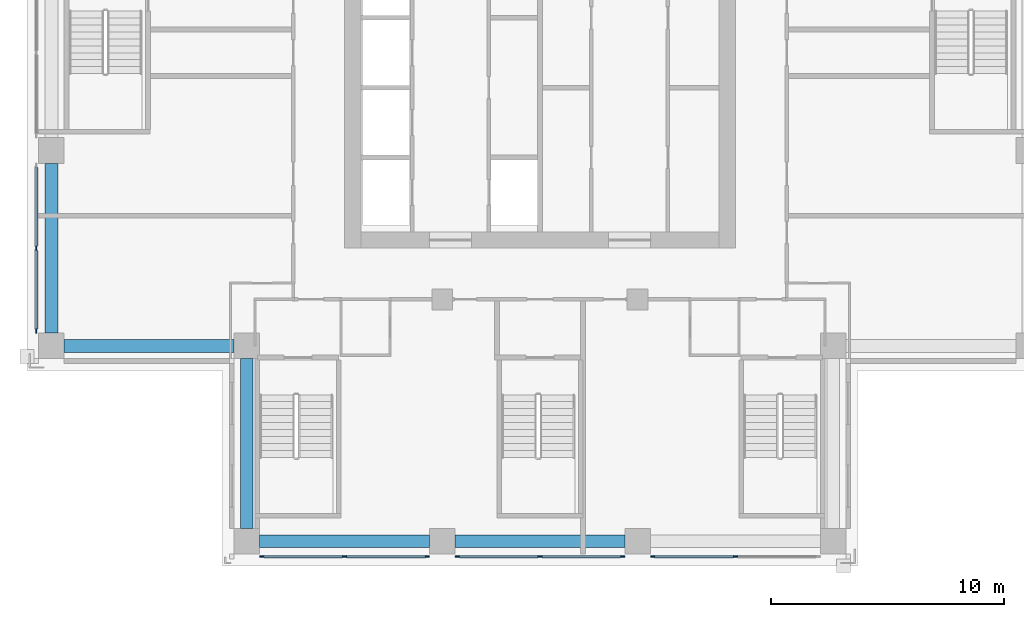
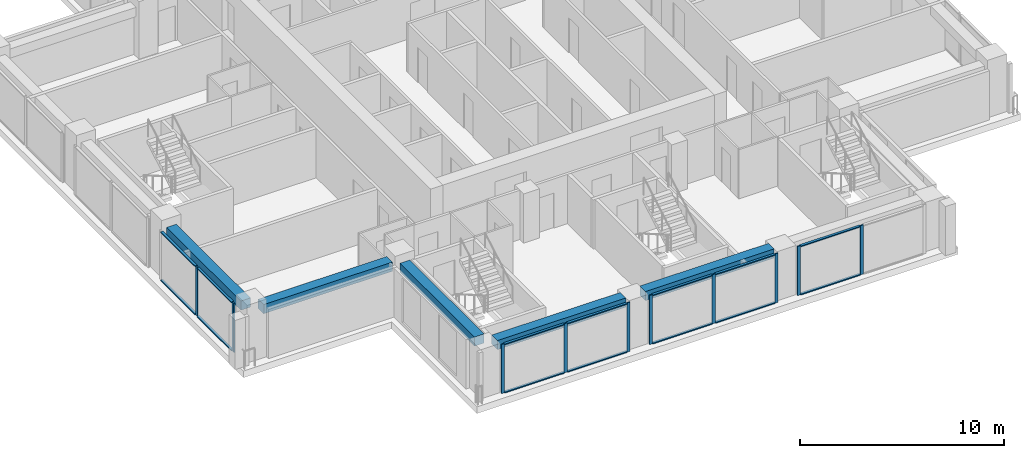
# One storey, part 2 of 16: 24 members, 5 beams, 4 elements without a shape of their own.
"""IFC4 building model written with IfcOpenShell, lengths in metres."""

from ifc_helpers import new_model, si_unit, direction, frame, origin, origin_2d, place, context, subcontext, project, spatial, rectangle, extrude, material, material_profile, profile_set, type_object, element, aggregate, save


model = new_model("IFC4")

# Units and contexts
model_context = context("Model", 3, precision=1e-05, world=origin(), true_north=direction((0.0, 1.0)))
body_context = subcontext(model_context, "Body", "Model", "MODEL_VIEW")
ifc_project = project(units=[si_unit("LENGTHUNIT", "METRE"), si_unit("AREAUNIT", "SQUARE_METRE"), si_unit("VOLUMEUNIT", "CUBIC_METRE"), si_unit("PLANEANGLEUNIT", "RADIAN"), si_unit("MASSUNIT", "GRAM", prefix="KILO")], contexts=[model_context])

# Site, building, storey
site_placement = place(None, origin())
site = spatial("IfcSite", under=ifc_project, at=site_placement, CompositionType="ELEMENT")
building_placement = place(site_placement, origin())
building = spatial("IfcBuilding", under=site, at=building_placement, Name="Vermilion Ogive Tower", CompositionType="ELEMENT")
storey_placement = place(building_placement, frame((0.0, 0.0, 167.60009765625)))
storey = spatial("IfcBuildingStorey", under=building, at=storey_placement, Name="L43", CompositionType="ELEMENT", Elevation=167.60009765625)

# Curtain wall, members
ifc_material_1 = material(Name="Low-iron laminated glazing in aluminium frame", Category="aluminium")
curtain_wall_type = type_object("IfcCurtainWallType", Name="Curtain wall CW7", PredefinedType="NOTDEFINED", material=ifc_material_1)
curtain_wall_1_placement = place(storey_placement, origin())
curtain_wall_1 = element("IfcCurtainWall", 1, at=curtain_wall_1_placement, inside=storey, type_object=curtain_wall_type, Name="Glazed skin S1", PredefinedType="NOTDEFINED")
ifc_material_2 = material(Name="Aluminium mullion", Category="aluminium")
ifc_material_profile_1 = material_profile(ifc_material_2, rectangle(XDim=0.06005859375, YDim=0.179931640625, at=origin_2d()), Name="AL 60x180")
ifc_profile_set_1 = profile_set([ifc_material_profile_1], Name="Aluminium mullion")
member_type_1 = type_object("IfcMemberType", Name="CW7 mullion 60x180", PredefinedType="MULLION", material=ifc_profile_set_1)
member_1_placement = place(storey_placement, frame((-11.9599609375, -21.64990234375, 0.0), z_axis=(0.0, 0.0, 1.0), x_axis=(0.0, 1.0, 0.0)))
member_1 = element("IfcMember", 2, at=member_1_placement, type_object=member_type_1, Name="CW7-S1 mullion 1", PredefinedType="MULLION", context=body_context, shape_type="SweptSolid", body=[
    extrude(rectangle(XDim=0.06005859375, YDim=0.179931640625, at=origin_2d()), origin(), (0.0, 0.0, 1.0), 2.949951171875),
])
member_2_placement = place(storey_placement, frame((-8.39990234375, -21.64990234375, 0.0), z_axis=(0.0, 0.0, 1.0), x_axis=(0.0, 1.0, 0.0)))
member_2 = element("IfcMember", 3, at=member_2_placement, type_object=member_type_1, Name="CW7-S1 mullion 2", PredefinedType="MULLION", context=body_context, shape_type="SweptSolid", body=[
    extrude(rectangle(XDim=0.06005859375, YDim=0.179931640625, at=origin_2d()), origin(), (0.0, 0.0, 1.0), 2.949951171875),
])
member_3_placement = place(storey_placement, frame((-4.840087890625, -21.64990234375, 0.0), z_axis=(0.0, 0.0, 1.0), x_axis=(0.0, 1.0, 0.0)))
member_3 = element("IfcMember", 4, at=member_3_placement, type_object=member_type_1, Name="CW7-S1 mullion 3", PredefinedType="MULLION", context=body_context, shape_type="SweptSolid", body=[
    extrude(rectangle(XDim=0.06005859375, YDim=0.179931640625, at=origin_2d()), origin(), (0.0, 0.0, 1.0), 2.949951171875),
])

curtain_wall_2_placement = place(storey_placement, origin())
curtain_wall_2 = element("IfcCurtainWall", 5, at=curtain_wall_2_placement, inside=storey, type_object=curtain_wall_type, Name="Glazed skin S2", PredefinedType="NOTDEFINED")
member_4_placement = place(storey_placement, frame((-3.56005859375, -21.64990234375, 0.0), z_axis=(0.0, 0.0, 1.0), x_axis=(0.0, 1.0, 0.0)))
member_4 = element("IfcMember", 6, at=member_4_placement, type_object=member_type_1, Name="CW7-S2 mullion 1", PredefinedType="MULLION", context=body_context, shape_type="SweptSolid", body=[
    extrude(rectangle(XDim=0.06005859375, YDim=0.179931640625, at=origin_2d()), origin(), (0.0, 0.0, 1.0), 2.949951171875),
])
member_5_placement = place(storey_placement, frame((0.0, -21.64990234375, 0.0), z_axis=(0.0, 0.0, 1.0), x_axis=(0.0, 1.0, 0.0)))
member_5 = element("IfcMember", 7, at=member_5_placement, type_object=member_type_1, Name="CW7-S2 mullion 2", PredefinedType="MULLION", context=body_context, shape_type="SweptSolid", body=[
    extrude(rectangle(XDim=0.06005859375, YDim=0.179931640625, at=origin_2d()), origin(), (0.0, 0.0, 1.0), 2.949951171875),
])
member_6_placement = place(storey_placement, frame((3.56005859375, -21.64990234375, 0.0), z_axis=(0.0, 0.0, 1.0), x_axis=(0.0, 1.0, 0.0)))
member_6 = element("IfcMember", 8, at=member_6_placement, type_object=member_type_1, Name="CW7-S2 mullion 3", PredefinedType="MULLION", context=body_context, shape_type="SweptSolid", body=[
    extrude(rectangle(XDim=0.06005859375, YDim=0.179931640625, at=origin_2d()), origin(), (0.0, 0.0, 1.0), 2.949951171875),
])

curtain_wall_3_placement = place(storey_placement, origin())
curtain_wall_3 = element("IfcCurtainWall", 9, at=curtain_wall_3_placement, inside=storey, type_object=curtain_wall_type, Name="Glazed skin S3", PredefinedType="NOTDEFINED")
member_7_placement = place(storey_placement, frame((4.840087890625, -21.64990234375, 0.0), z_axis=(0.0, 0.0, 1.0), x_axis=(0.0, 1.0, 0.0)))
member_7 = element("IfcMember", 10, at=member_7_placement, type_object=member_type_1, Name="CW7-S3 mullion 1", PredefinedType="MULLION", context=body_context, shape_type="SweptSolid", body=[
    extrude(rectangle(XDim=0.06005859375, YDim=0.179931640625, at=origin_2d()), origin(), (0.0, 0.0, 1.0), 2.949951171875),
])
member_8_placement = place(storey_placement, frame((8.39990234375, -21.64990234375, 0.0), z_axis=(0.0, 0.0, 1.0), x_axis=(0.0, 1.0, 0.0)))
member_8 = element("IfcMember", 11, at=member_8_placement, type_object=member_type_1, Name="CW7-S3 mullion 2", PredefinedType="MULLION", context=body_context, shape_type="SweptSolid", body=[
    extrude(rectangle(XDim=0.06005859375, YDim=0.179931640625, at=origin_2d()), origin(), (0.0, 0.0, 1.0), 2.949951171875),
])

curtain_wall_4_placement = place(storey_placement, origin())
curtain_wall_4 = element("IfcCurtainWall", 12, at=curtain_wall_4_placement, inside=storey, type_object=curtain_wall_type, Name="Glazed skin W3", PredefinedType="NOTDEFINED")
member_9_placement = place(storey_placement, frame((-21.64990234375, -8.39990234375, 0.0), z_axis=(0.0, 0.0, 1.0), x_axis=(1.0, 0.0, 0.0)))
member_9 = element("IfcMember", 13, at=member_9_placement, type_object=member_type_1, Name="CW7-W3 mullion 2", PredefinedType="MULLION", context=body_context, shape_type="SweptSolid", body=[
    extrude(rectangle(XDim=0.06005859375, YDim=0.179931640625, at=origin_2d()), origin(), (0.0, 0.0, 1.0), 2.949951171875),
])
member_10_placement = place(storey_placement, frame((-21.64990234375, -11.9599609375, 0.0), z_axis=(0.0, 0.0, 1.0), x_axis=(1.0, 0.0, 0.0)))
member_10 = element("IfcMember", 14, at=member_10_placement, type_object=member_type_1, Name="CW7-W3 mullion 3", PredefinedType="MULLION", context=body_context, shape_type="SweptSolid", body=[
    extrude(rectangle(XDim=0.06005859375, YDim=0.179931640625, at=origin_2d()), origin(), (0.0, 0.0, 1.0), 2.949951171875),
])

# Member
ifc_material_3 = material(Name="Aluminium transom", Category="aluminium")
ifc_material_profile_2 = material_profile(ifc_material_3, rectangle(XDim=0.139892578125, YDim=0.06005859375, at=origin_2d()), Name="AL 60x140")
ifc_profile_set_2 = profile_set([ifc_material_profile_2], Name="Aluminium transom")
member_type_2 = type_object("IfcMemberType", Name="CW7 transom 60x140", PredefinedType="USERDEFINED", material=ifc_profile_set_2)
member_11_placement = place(storey_placement, frame((-11.8701171875, -21.64990234375, 0.02978515625), z_axis=(1.0, 0.0, 0.0), x_axis=(0.0, 1.0, 0.0)))
member_11 = element("IfcMember", 15, at=member_11_placement, type_object=member_type_2, Name="CW7-S1 transom 1.1", ObjectType="TRANSOM", PredefinedType="USERDEFINED", context=body_context, shape_type="SweptSolid", body=[
    extrude(rectangle(XDim=0.139892578125, YDim=0.06005859375, at=origin_2d()), origin(), (0.0, 0.0, 1.0), 3.380126953125),
])

member_12_placement = place(storey_placement, frame((-11.8701171875, -21.64990234375, 2.919921875), z_axis=(1.0, 0.0, 0.0), x_axis=(0.0, 1.0, 0.0)))
member_12 = element("IfcMember", 16, at=member_12_placement, type_object=member_type_2, Name="CW7-S1 transom 1.2", ObjectType="TRANSOM", PredefinedType="USERDEFINED", context=body_context, shape_type="SweptSolid", body=[
    extrude(rectangle(XDim=0.139892578125, YDim=0.06005859375, at=origin_2d()), origin(), (0.0, 0.0, 1.0), 3.380126953125),
])

member_13_placement = place(storey_placement, frame((-8.31005859375, -21.64990234375, 0.02978515625), z_axis=(1.0, 0.0, 0.0), x_axis=(0.0, 1.0, 0.0)))
member_13 = element("IfcMember", 17, at=member_13_placement, type_object=member_type_2, Name="CW7-S1 transom 2.1", ObjectType="TRANSOM", PredefinedType="USERDEFINED", context=body_context, shape_type="SweptSolid", body=[
    extrude(rectangle(XDim=0.139892578125, YDim=0.06005859375, at=origin_2d()), origin(), (0.0, 0.0, 1.0), 3.380126953125),
])

member_14_placement = place(storey_placement, frame((-8.31005859375, -21.64990234375, 2.919921875), z_axis=(1.0, 0.0, 0.0), x_axis=(0.0, 1.0, 0.0)))
member_14 = element("IfcMember", 18, at=member_14_placement, type_object=member_type_2, Name="CW7-S1 transom 2.2", ObjectType="TRANSOM", PredefinedType="USERDEFINED", context=body_context, shape_type="SweptSolid", body=[
    extrude(rectangle(XDim=0.139892578125, YDim=0.06005859375, at=origin_2d()), origin(), (0.0, 0.0, 1.0), 3.380126953125),
])

aggregate(curtain_wall_1, [member_1, member_2, member_3, member_11, member_12, member_13, member_14])

member_15_placement = place(storey_placement, frame((-3.469970703125, -21.64990234375, 0.02978515625), z_axis=(1.0, 0.0, 0.0), x_axis=(0.0, 1.0, 0.0)))
member_15 = element("IfcMember", 19, at=member_15_placement, type_object=member_type_2, Name="CW7-S2 transom 1.1", ObjectType="TRANSOM", PredefinedType="USERDEFINED", context=body_context, shape_type="SweptSolid", body=[
    extrude(rectangle(XDim=0.139892578125, YDim=0.06005859375, at=origin_2d()), origin(), (0.0, 0.0, 1.0), 3.3798828125),
])

member_16_placement = place(storey_placement, frame((-3.469970703125, -21.64990234375, 2.919921875), z_axis=(1.0, 0.0, 0.0), x_axis=(0.0, 1.0, 0.0)))
member_16 = element("IfcMember", 20, at=member_16_placement, type_object=member_type_2, Name="CW7-S2 transom 1.2", ObjectType="TRANSOM", PredefinedType="USERDEFINED", context=body_context, shape_type="SweptSolid", body=[
    extrude(rectangle(XDim=0.139892578125, YDim=0.06005859375, at=origin_2d()), origin(), (0.0, 0.0, 1.0), 3.3798828125),
])

member_17_placement = place(storey_placement, frame((0.090087890625, -21.64990234375, 0.02978515625), z_axis=(1.0, 0.0, 0.0), x_axis=(0.0, 1.0, 0.0)))
member_17 = element("IfcMember", 21, at=member_17_placement, type_object=member_type_2, Name="CW7-S2 transom 2.1", ObjectType="TRANSOM", PredefinedType="USERDEFINED", context=body_context, shape_type="SweptSolid", body=[
    extrude(rectangle(XDim=0.139892578125, YDim=0.06005859375, at=origin_2d()), origin(), (0.0, 0.0, 1.0), 3.3798828125),
])

member_18_placement = place(storey_placement, frame((0.090087890625, -21.64990234375, 2.919921875), z_axis=(1.0, 0.0, 0.0), x_axis=(0.0, 1.0, 0.0)))
member_18 = element("IfcMember", 22, at=member_18_placement, type_object=member_type_2, Name="CW7-S2 transom 2.2", ObjectType="TRANSOM", PredefinedType="USERDEFINED", context=body_context, shape_type="SweptSolid", body=[
    extrude(rectangle(XDim=0.139892578125, YDim=0.06005859375, at=origin_2d()), origin(), (0.0, 0.0, 1.0), 3.3798828125),
])

aggregate(curtain_wall_2, [member_4, member_5, member_6, member_15, member_16, member_17, member_18])

member_19_placement = place(storey_placement, frame((4.929931640625, -21.64990234375, 0.02978515625), z_axis=(1.0, 0.0, 0.0), x_axis=(0.0, 1.0, 0.0)))
member_19 = element("IfcMember", 23, at=member_19_placement, type_object=member_type_2, Name="CW7-S3 transom 1.1", ObjectType="TRANSOM", PredefinedType="USERDEFINED", context=body_context, shape_type="SweptSolid", body=[
    extrude(rectangle(XDim=0.139892578125, YDim=0.06005859375, at=origin_2d()), origin(), (0.0, 0.0, 1.0), 3.380126953125),
])

member_20_placement = place(storey_placement, frame((4.929931640625, -21.64990234375, 2.919921875), z_axis=(1.0, 0.0, 0.0), x_axis=(0.0, 1.0, 0.0)))
member_20 = element("IfcMember", 24, at=member_20_placement, type_object=member_type_2, Name="CW7-S3 transom 1.2", ObjectType="TRANSOM", PredefinedType="USERDEFINED", context=body_context, shape_type="SweptSolid", body=[
    extrude(rectangle(XDim=0.139892578125, YDim=0.06005859375, at=origin_2d()), origin(), (0.0, 0.0, 1.0), 3.380126953125),
])

aggregate(curtain_wall_3, [member_7, member_8, member_19, member_20])

member_21_placement = place(storey_placement, frame((-21.64990234375, -4.929931640625, 0.02978515625), z_axis=(0.0, -1.0, 0.0), x_axis=(1.0, 0.0, 0.0)))
member_21 = element("IfcMember", 25, at=member_21_placement, type_object=member_type_2, Name="CW7-W3 transom 1.1", ObjectType="TRANSOM", PredefinedType="USERDEFINED", context=body_context, shape_type="SweptSolid", body=[
    extrude(rectangle(XDim=0.139892578125, YDim=0.06005859375, at=origin_2d()), origin(), (0.0, 0.0, 1.0), 3.380126953125),
])

member_22_placement = place(storey_placement, frame((-21.64990234375, -4.929931640625, 2.919921875), z_axis=(0.0, -1.0, 0.0), x_axis=(1.0, 0.0, 0.0)))
member_22 = element("IfcMember", 26, at=member_22_placement, type_object=member_type_2, Name="CW7-W3 transom 1.2", ObjectType="TRANSOM", PredefinedType="USERDEFINED", context=body_context, shape_type="SweptSolid", body=[
    extrude(rectangle(XDim=0.139892578125, YDim=0.06005859375, at=origin_2d()), origin(), (0.0, 0.0, 1.0), 3.380126953125),
])

member_23_placement = place(storey_placement, frame((-21.64990234375, -8.489990234375, 0.02978515625), z_axis=(0.0, -1.0, 0.0), x_axis=(1.0, 0.0, 0.0)))
member_23 = element("IfcMember", 27, at=member_23_placement, type_object=member_type_2, Name="CW7-W3 transom 2.1", ObjectType="TRANSOM", PredefinedType="USERDEFINED", context=body_context, shape_type="SweptSolid", body=[
    extrude(rectangle(XDim=0.139892578125, YDim=0.06005859375, at=origin_2d()), origin(), (0.0, 0.0, 1.0), 3.380126953125),
])

member_24_placement = place(storey_placement, frame((-21.64990234375, -8.489990234375, 2.919921875), z_axis=(0.0, -1.0, 0.0), x_axis=(1.0, 0.0, 0.0)))
member_24 = element("IfcMember", 28, at=member_24_placement, type_object=member_type_2, Name="CW7-W3 transom 2.2", ObjectType="TRANSOM", PredefinedType="USERDEFINED", context=body_context, shape_type="SweptSolid", body=[
    extrude(rectangle(XDim=0.139892578125, YDim=0.06005859375, at=origin_2d()), origin(), (0.0, 0.0, 1.0), 3.380126953125),
])

aggregate(curtain_wall_4, [member_9, member_10, member_21, member_22, member_23, member_24])

# Beams
ifc_material_4 = material(Name="Concrete B45", Category="concrete")
ifc_material_profile_3 = material_profile(ifc_material_4, rectangle(XDim=0.550048828125, YDim=0.550048828125, at=origin_2d()), Name="550 x 550")
ifc_profile_set_3 = profile_set([ifc_material_profile_3], Name="Concrete B45")
beam_type = type_object("IfcBeamType", Name="Edge beam 550 x 550 B45", PredefinedType="BEAM", material=ifc_profile_set_3)
beam_1_placement = place(storey_placement, frame((-12.050048828125, -21.0, 2.6748046875), z_axis=(1.0, 0.0, 0.0), x_axis=(0.0, 1.0, 0.0)))
element("IfcBeam", 29, at=beam_1_placement, inside=storey, type_object=beam_type, Name="L43-EB-1", PredefinedType="BEAM", context=body_context, shape_type="SweptSolid", body=[
    extrude(rectangle(XDim=0.550048828125, YDim=0.550048828125, at=origin_2d()), origin(), (0.0, 0.0, 1.0), 7.300048828125),
])
beam_2_placement = place(storey_placement, frame((-3.64990234375, -21.0, 2.6748046875), z_axis=(1.0, 0.0, 0.0), x_axis=(0.0, 1.0, 0.0)))
element("IfcBeam", 30, at=beam_2_placement, inside=storey, type_object=beam_type, Name="L43-EB-2", PredefinedType="BEAM", context=body_context, shape_type="SweptSolid", body=[
    extrude(rectangle(XDim=0.550048828125, YDim=0.550048828125, at=origin_2d()), origin(), (0.0, 0.0, 1.0), 7.2998046875),
])
for number, where, z_axis, x_axis, name in (
    (31, (-21.0, -4.75, 2.6748046875), (0.0, -1.0, 0.0), (1.0, 0.0, 0.0), "L43-EB-15"),
    (32, (-20.449951171875, -12.60009765625, 2.6748046875), (1.0, 0.0, 0.0), (0.0, 1.0, 0.0), "L43-EB-16"),
    (33, (-12.60009765625, -13.14990234375, 2.6748046875), (0.0, -1.0, 0.0), (1.0, 0.0, 0.0), "L43-EB-17"),
):
    element("IfcBeam", number, at=place(storey_placement, frame(where, z_axis=z_axis, x_axis=x_axis)), inside=storey, type_object=beam_type, Name=name, PredefinedType="BEAM", context=body_context, shape_type="SweptSolid", body=[
        extrude(rectangle(XDim=0.550048828125, YDim=0.550048828125, at=origin_2d()), origin(), (0.0, 0.0, 1.0), 7.300048828125),
    ])

save(model, "model.ifc")
